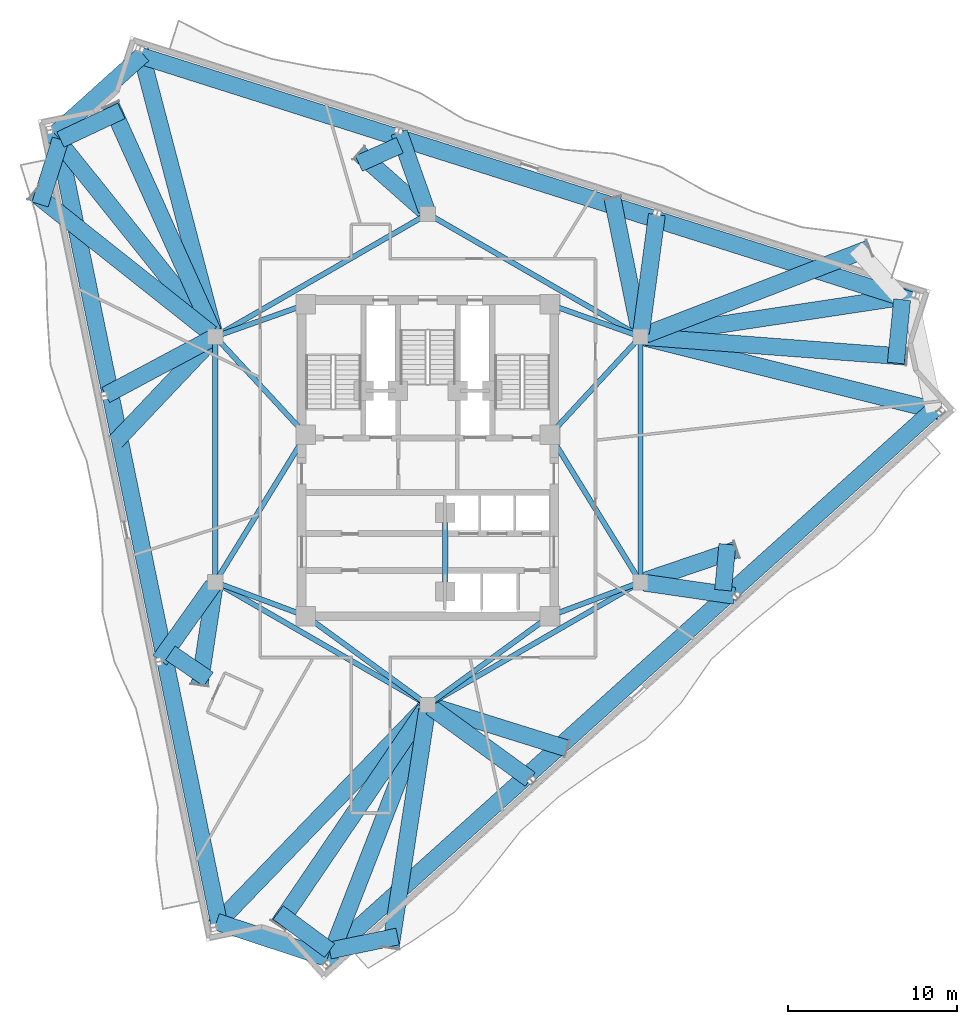
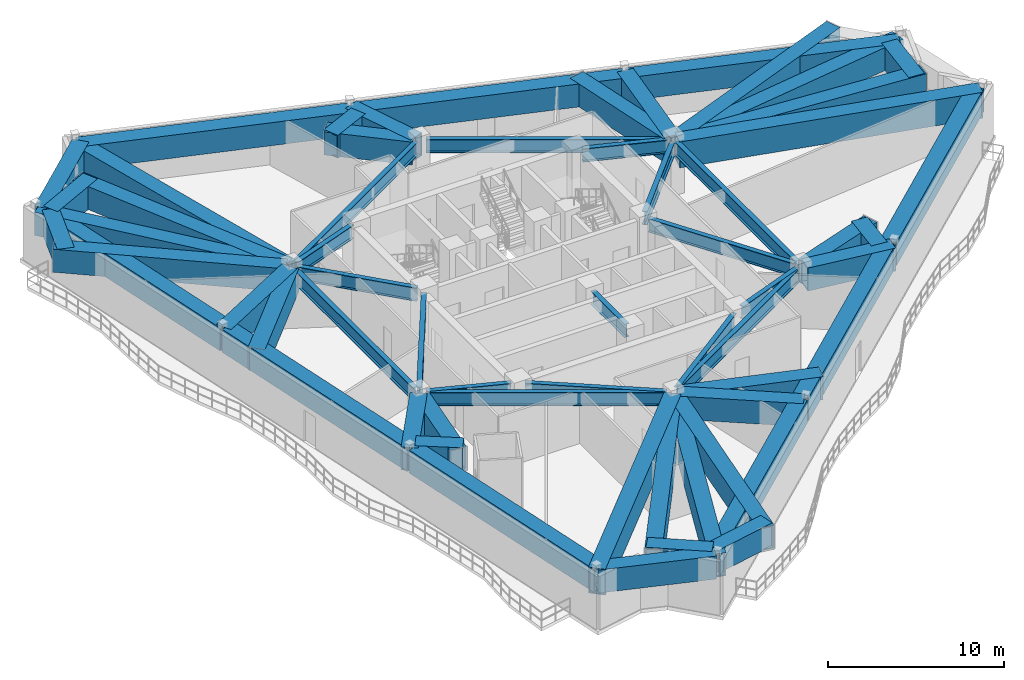
# One storey, part 4 of 12: 60 beams.
"""IFC4 building model written with IfcOpenShell, lengths in metres."""

from ifc_helpers import new_model, si_unit, direction, frame, origin, origin_2d, place, context, subcontext, project, spatial, hollow_rectangle, i_section, extrude, material, material_profile, profile_set, type_object, element, save


model = new_model("IFC4")

# Units and contexts
model_context = context("Model", 3, precision=1e-05, world=origin(), true_north=direction((0.0, 1.0)))
body_context = subcontext(model_context, "Body", "Model", "MODEL_VIEW")
ifc_project = project(units=[si_unit("LENGTHUNIT", "METRE"), si_unit("AREAUNIT", "SQUARE_METRE"), si_unit("VOLUMEUNIT", "CUBIC_METRE"), si_unit("PLANEANGLEUNIT", "RADIAN"), si_unit("MASSUNIT", "GRAM", prefix="KILO")], contexts=[model_context])

# Site, building, storey
site_placement = place(None, origin())
site = spatial("IfcSite", under=ifc_project, at=site_placement, CompositionType="ELEMENT")
building_placement = place(site_placement, origin())
building = spatial("IfcBuilding", under=site, at=building_placement, Name="Apsidion Concourse Tower", CompositionType="ELEMENT")
storey_placement = place(building_placement, frame((0.0, 0.0, 256.800048828125)))
storey = spatial("IfcBuildingStorey", under=building, at=storey_placement, Name="L60", CompositionType="ELEMENT", Elevation=256.800048828125)

# Beams
ifc_material_1 = material(Name="Structural steel ASTM A992 Grade 50", Category="steel")
ifc_material_profile_1 = material_profile(ifc_material_1, i_section(OverallWidth=0.31005859375, OverallDepth=0.931884765625, WebThickness=0.02099609375, FlangeThickness=0.034423828125, at=origin_2d()), Name="W36X210")
ifc_profile_set_1 = profile_set([ifc_material_profile_1], Name="Structural steel ASTM A992 Grade 50")
beam_type_1 = type_object("IfcBeamType", Name="BM-G-W36", PredefinedType="USERDEFINED", material=ifc_profile_set_1)
beam_1_placement = place(storey_placement, frame((-12.185302734375, -7.389892578125, 3.23388671875), z_axis=(0.936913021145, -0.349562570664, 0.0), x_axis=(0.349562570664, 0.936913021145, 0.0)))
element("IfcBeam", 1, at=beam_1_placement, inside=storey, type_object=beam_type_1, Name="L60 Core Coupling Girder IC1-SC1", ObjectType="GIRDER", PredefinedType="USERDEFINED", context=body_context, shape_type="SweptSolid", body=[
    extrude(i_section(OverallWidth=0.31005859375, OverallDepth=0.931884765625, WebThickness=0.02099609375, FlangeThickness=0.034423828125, at=origin_2d()), origin(), (0.0, 0.0, 1.0), 4.921142578125),
])
beam_2_placement = place(storey_placement, frame((-12.35009765625, -6.909423828125, 3.23388671875), z_axis=(0.524524009763, 0.851395656074, 0.0), x_axis=(-0.851395656074, 0.524524009763, 0.0)))
element("IfcBeam", 2, at=beam_2_placement, inside=storey, type_object=beam_type_1, Name="L60 Core Coupling Girder IC1-SC6", ObjectType="GIRDER", PredefinedType="USERDEFINED", context=body_context, shape_type="SweptSolid", body=[
    extrude(i_section(OverallWidth=0.31005859375, OverallDepth=0.931884765625, WebThickness=0.02099609375, FlangeThickness=0.034423828125, at=origin_2d()), origin(), (0.0, 0.0, 1.0), 9.41845703125),
])
beam_3_placement = place(storey_placement, frame((12.185302734375, -7.389892578125, 3.23388671875), z_axis=(-0.936913021145, -0.349562570664, 0.0), x_axis=(0.349562570664, -0.936913021145, 0.0)))
element("IfcBeam", 3, at=beam_3_placement, inside=storey, type_object=beam_type_1, Name="L60 Core Coupling Girder IC2-SC2", ObjectType="GIRDER", PredefinedType="USERDEFINED", context=body_context, shape_type="SweptSolid", body=[
    extrude(i_section(OverallWidth=0.31005859375, OverallDepth=0.931884765625, WebThickness=0.02099609375, FlangeThickness=0.034423828125, at=origin_2d()), origin(), (0.0, 0.0, 1.0), 4.921142578125),
])
beam_4_placement = place(storey_placement, frame((12.35009765625, -6.909423828125, 3.23388671875), z_axis=(-0.524524009763, 0.851395656074, 0.0), x_axis=(-0.851395656074, -0.524524009763, 0.0)))
element("IfcBeam", 4, at=beam_4_placement, inside=storey, type_object=beam_type_1, Name="L60 Core Coupling Girder IC2-SC3", ObjectType="GIRDER", PredefinedType="USERDEFINED", context=body_context, shape_type="SweptSolid", body=[
    extrude(i_section(OverallWidth=0.31005859375, OverallDepth=0.931884765625, WebThickness=0.02099609375, FlangeThickness=0.034423828125, at=origin_2d()), origin(), (0.0, 0.0, 1.0), 9.41845703125),
])
beam_5_placement = place(storey_placement, frame((12.28857421875, 6.956298828125, 3.23388671875), z_axis=(-0.678712876106, -0.73440372535, 0.0), x_axis=(0.73440372535, -0.678712876106, 0.0)))
element("IfcBeam", 5, at=beam_5_placement, inside=storey, type_object=beam_type_1, Name="L60 Core Coupling Girder IC3-SC3", ObjectType="GIRDER", PredefinedType="USERDEFINED", context=body_context, shape_type="SweptSolid", body=[
    extrude(i_section(OverallWidth=0.31005859375, OverallDepth=0.931884765625, WebThickness=0.02099609375, FlangeThickness=0.034423828125, at=origin_2d()), origin(), (0.0, 0.0, 1.0), 7.097412109375),
])
beam_6_placement = place(storey_placement, frame((12.18310546875, 7.383544921875, 3.23388671875), z_axis=(-0.942533844539, 0.334110688094, 0.0), x_axis=(-0.334110688094, -0.942533844539, 0.0)))
element("IfcBeam", 6, at=beam_6_placement, inside=storey, type_object=beam_type_1, Name="L60 Core Coupling Girder IC3-SC4", ObjectType="GIRDER", PredefinedType="USERDEFINED", context=body_context, shape_type="SweptSolid", body=[
    extrude(i_section(OverallWidth=0.31005859375, OverallDepth=0.931884765625, WebThickness=0.02099609375, FlangeThickness=0.034423828125, at=origin_2d()), origin(), (0.0, 0.0, 1.0), 4.886962890625),
])
beam_7_placement = place(storey_placement, frame((-12.28857421875, 6.956298828125, 3.23388671875), z_axis=(0.678712876106, -0.73440372535, 0.0), x_axis=(0.73440372535, 0.678712876106, 0.0)))
element("IfcBeam", 7, at=beam_7_placement, inside=storey, type_object=beam_type_1, Name="L60 Core Coupling Girder IC5-SC6", ObjectType="GIRDER", PredefinedType="USERDEFINED", context=body_context, shape_type="SweptSolid", body=[
    extrude(i_section(OverallWidth=0.31005859375, OverallDepth=0.931884765625, WebThickness=0.02099609375, FlangeThickness=0.034423828125, at=origin_2d()), origin(), (0.0, 0.0, 1.0), 7.097412109375),
])
beam_8_placement = place(storey_placement, frame((-12.18310546875, 7.383544921875, 3.23388671875), z_axis=(0.942533844539, 0.334110688094, 0.0), x_axis=(-0.334110688094, 0.942533844539, 0.0)))
element("IfcBeam", 8, at=beam_8_placement, inside=storey, type_object=beam_type_1, Name="L60 Core Coupling Girder IC5-SC5", ObjectType="GIRDER", PredefinedType="USERDEFINED", context=body_context, shape_type="SweptSolid", body=[
    extrude(i_section(OverallWidth=0.31005859375, OverallDepth=0.931884765625, WebThickness=0.02099609375, FlangeThickness=0.034423828125, at=origin_2d()), origin(), (0.0, 0.0, 1.0), 4.886962890625),
])
for number, where, z_axis, x_axis, name in (
    (9, (-0.3232421875, -14.264404296875, 3.23388671875), (-0.807993498909, 0.589191399905, 0.0), (-0.589191399905, -0.807993498909, 0.0), "L60 Core Coupling Girder IC6-SC1"),
    (10, (0.3232421875, -14.264404296875, 3.23388671875), (0.807993498909, 0.589191399905, 0.0), (-0.589191399905, 0.807993498909, 0.0), "L60 Core Coupling Girder IC6-SC2"),
):
    element("IfcBeam", number, at=place(storey_placement, frame(where, z_axis=z_axis, x_axis=x_axis)), inside=storey, type_object=beam_type_1, Name=name, ObjectType="GIRDER", PredefinedType="USERDEFINED", context=body_context, shape_type="SweptSolid", body=[
        extrude(i_section(OverallWidth=0.31005859375, OverallDepth=0.931884765625, WebThickness=0.02099609375, FlangeThickness=0.034423828125, at=origin_2d()), origin(), (0.0, 0.0, 1.0), 8.11083984375),
    ])
beam_9_placement = place(storey_placement, frame((-12.56005859375, -6.85009765625, 3.23388671875), z_axis=(0.0, 1.0, 0.0), x_axis=(-1.0, 0.0, 0.0)))
element("IfcBeam", 11, at=beam_9_placement, inside=storey, type_object=beam_type_1, Name="L60 Core Coupling Girder IC1-IC5", ObjectType="GIRDER", PredefinedType="USERDEFINED", context=body_context, shape_type="SweptSolid", body=[
    extrude(i_section(OverallWidth=0.31005859375, OverallDepth=0.931884765625, WebThickness=0.02099609375, FlangeThickness=0.034423828125, at=origin_2d()), origin(), (0.0, 0.0, 1.0), 13.7001953125),
])
for number, where, z_axis, x_axis, name in (
    (12, (-12.213623046875, 7.449951171875, 3.23388671875), (0.866070471464, 0.499921932364, 0.0), (-0.499921932364, 0.866070471464, 0.0), "L60 Core Coupling Girder IC5-IC4"),
    (13, (0.346435546875, 14.300048828125, 3.23388671875), (0.866070471464, -0.499921932364, 0.0), (0.499921932364, 0.866070471464, 0.0), "L60 Core Coupling Girder IC4-IC3"),
):
    element("IfcBeam", number, at=place(storey_placement, frame(where, z_axis=z_axis, x_axis=x_axis)), inside=storey, type_object=beam_type_1, Name=name, ObjectType="GIRDER", PredefinedType="USERDEFINED", context=body_context, shape_type="SweptSolid", body=[
        extrude(i_section(OverallWidth=0.31005859375, OverallDepth=0.931884765625, WebThickness=0.02099609375, FlangeThickness=0.034423828125, at=origin_2d()), origin(), (0.0, 0.0, 1.0), 13.702392578125),
    ])
beam_10_placement = place(storey_placement, frame((12.56005859375, 6.85009765625, 3.23388671875), z_axis=(0.0, -1.0, 0.0), x_axis=(1.0, 0.0, 0.0)))
element("IfcBeam", 14, at=beam_10_placement, inside=storey, type_object=beam_type_1, Name="L60 Core Coupling Girder IC3-IC2", ObjectType="GIRDER", PredefinedType="USERDEFINED", context=body_context, shape_type="SweptSolid", body=[
    extrude(i_section(OverallWidth=0.31005859375, OverallDepth=0.931884765625, WebThickness=0.02099609375, FlangeThickness=0.034423828125, at=origin_2d()), origin(), (0.0, 0.0, 1.0), 13.7001953125),
])
for number, where, z_axis, x_axis, name in (
    (15, (12.213623046875, -7.449951171875, 3.23388671875), (-0.866070471464, -0.499921932364, 0.0), (0.499921932364, -0.866070471464, 0.0), "L60 Core Coupling Girder IC2-IC6"),
    (16, (-0.346435546875, -14.300048828125, 3.23388671875), (-0.866070471464, 0.499921932364, 0.0), (-0.499921932364, -0.866070471464, 0.0), "L60 Core Coupling Girder IC6-IC1"),
):
    element("IfcBeam", number, at=place(storey_placement, frame(where, z_axis=z_axis, x_axis=x_axis)), inside=storey, type_object=beam_type_1, Name=name, ObjectType="GIRDER", PredefinedType="USERDEFINED", context=body_context, shape_type="SweptSolid", body=[
        extrude(i_section(OverallWidth=0.31005859375, OverallDepth=0.931884765625, WebThickness=0.02099609375, FlangeThickness=0.034423828125, at=origin_2d()), origin(), (0.0, 0.0, 1.0), 13.702392578125),
    ])
beam_11_placement = place(storey_placement, frame((1.02490234375, -3.550048828125, 3.23388671875), z_axis=(0.0, -1.0, 0.0), x_axis=(1.0, 0.0, 0.0)))
element("IfcBeam", 17, at=beam_11_placement, inside=storey, type_object=beam_type_1, Name="L60 Core Coupling Girder CC5-CC6", ObjectType="GIRDER", PredefinedType="USERDEFINED", context=body_context, shape_type="SweptSolid", body=[
    extrude(i_section(OverallWidth=0.31005859375, OverallDepth=0.931884765625, WebThickness=0.02099609375, FlangeThickness=0.034423828125, at=origin_2d()), origin(), (0.0, 0.0, 1.0), 3.849853515625),
])
ifc_material_2 = material(Name="Structural steel ASTM A572 Grade 50", Category="steel")
ifc_material_profile_2 = material_profile(ifc_material_2, hollow_rectangle(XDim=1.0, YDim=1.60009765625, WallThickness=0.074951171875, at=origin_2d()), Name="BOX1600X1000X75")
ifc_profile_set_2 = profile_set([ifc_material_profile_2], Name="Structural steel ASTM A572 Grade 50")
beam_type_2 = type_object("IfcBeamType", Name="BM-TR-1600", PredefinedType="USERDEFINED", material=ifc_profile_set_2)
beam_12_placement = place(storey_placement, frame((-21.948974609375, 19.44482421875, 2.89990234375), z_axis=(0.201230806268, -0.979543854357, 0.0), x_axis=(0.979543854357, 0.201230806268, 0.0)))
element("IfcBeam", 18, at=beam_12_placement, inside=storey, type_object=beam_type_2, Name="L60 Perimeter Spandrel Girder SP-01", ObjectType="GIRDER", PredefinedType="USERDEFINED", context=body_context, shape_type="SweptSolid", body=[
    extrude(hollow_rectangle(XDim=1.0, YDim=1.60009765625, WallThickness=0.074951171875, at=origin_2d()), origin(), (0.0, 0.0, 1.0), 15.863037109375),
])
for number, where, z_axis, x_axis, name in (
    (19, (-18.724609375, 3.74951171875, 2.89990234375), (0.201219072449, -0.9795462648, 0.0), (0.9795462648, 0.201219072449, 0.0), "L60 Perimeter Spandrel Girder SP-02"),
    (20, (-15.50048828125, -11.94580078125, 2.89990234375), (0.201233840002, -0.979543231123, 0.0), (0.979543231123, 0.201233840002, 0.0), "L60 Perimeter Spandrel Girder SP-03"),
):
    element("IfcBeam", number, at=place(storey_placement, frame(where, z_axis=z_axis, x_axis=x_axis)), inside=storey, type_object=beam_type_2, Name=name, ObjectType="GIRDER", PredefinedType="USERDEFINED", context=body_context, shape_type="SweptSolid", body=[
        extrude(hollow_rectangle(XDim=1.0, YDim=1.60009765625, WallThickness=0.074951171875, at=origin_2d()), origin(), (0.0, 0.0, 1.0), 15.86279296875),
    ])
beam_13_placement = place(storey_placement, frame((-12.4697265625, -27.302978515625, 2.89990234375), z_axis=(0.950003820966, -0.312238274639, 0.0), x_axis=(0.312238274639, 0.950003820966, 0.0)))
element("IfcBeam", 21, at=beam_13_placement, inside=storey, type_object=beam_type_2, Name="L60 Perimeter Spandrel Girder SP-04", ObjectType="GIRDER", PredefinedType="USERDEFINED", context=body_context, shape_type="SweptSolid", body=[
    extrude(hollow_rectangle(XDim=1.0, YDim=1.60009765625, WallThickness=0.074951171875, at=origin_2d()), origin(), (0.0, 0.0, 1.0), 6.889404296875),
])
for number, where, z_axis, x_axis, name in (
    (22, (-6.162353515625, -29.50439453125, 2.89990234375), (0.743142645053, 0.669133027958, 0.0), (-0.669133027958, 0.743142645053, 0.0), "L60 Perimeter Spandrel Girder SP-05"),
    (23, (5.927001953125, -18.618896484375, 2.89990234375), (0.743142645053, 0.669133027958, 0.0), (-0.669133027958, 0.743142645053, 0.0), "L60 Perimeter Spandrel Girder SP-06"),
    (24, (18.016357421875, -7.733642578125, 2.89990234375), (0.743142645053, 0.669133027958, 0.0), (-0.669133027958, 0.743142645053, 0.0), "L60 Perimeter Spandrel Girder SP-07"),
):
    element("IfcBeam", number, at=place(storey_placement, frame(where, z_axis=z_axis, x_axis=x_axis)), inside=storey, type_object=beam_type_2, Name=name, ObjectType="GIRDER", PredefinedType="USERDEFINED", context=body_context, shape_type="SweptSolid", body=[
        extrude(hollow_rectangle(XDim=1.0, YDim=1.60009765625, WallThickness=0.074951171875, at=origin_2d()), origin(), (0.0, 0.0, 1.0), 16.10791015625),
    ])
for number, where, z_axis, x_axis, name in (
    (25, (28.6201171875, 9.367919921875, 2.89990234375), (-0.953143428698, 0.302518766906, 0.0), (-0.302518766906, -0.953143428698, 0.0), "L60 Perimeter Spandrel Girder SP-09"),
    (26, (13.347900390625, 14.215087890625, 2.89990234375), (-0.953143428698, 0.302518766906, 0.0), (-0.302518766906, -0.953143428698, 0.0), "L60 Perimeter Spandrel Girder SP-10"),
    (27, (-1.92431640625, 19.0625, 2.89990234375), (-0.953147866416, 0.302504784667, 0.0), (-0.302504784667, -0.953147866416, 0.0), "L60 Perimeter Spandrel Girder SP-11"),
):
    element("IfcBeam", number, at=place(storey_placement, frame(where, z_axis=z_axis, x_axis=x_axis)), inside=storey, type_object=beam_type_2, Name=name, ObjectType="GIRDER", PredefinedType="USERDEFINED", context=body_context, shape_type="SweptSolid", body=[
        extrude(hollow_rectangle(XDim=1.0, YDim=1.60009765625, WallThickness=0.074951171875, at=origin_2d()), origin(), (0.0, 0.0, 1.0), 15.86279296875),
    ])
beam_14_placement = place(storey_placement, frame((-16.810546875, 23.91162109375, 2.89990234375), z_axis=(-0.743134911338, -0.669141616962, 0.0), x_axis=(0.669141616962, -0.743134911338, 0.0)))
element("IfcBeam", 28, at=beam_14_placement, inside=storey, type_object=beam_type_2, Name="L60 Perimeter Spandrel Girder SP-12", ObjectType="GIRDER", PredefinedType="USERDEFINED", context=body_context, shape_type="SweptSolid", body=[
    extrude(hollow_rectangle(XDim=1.0, YDim=1.60009765625, WallThickness=0.074951171875, at=origin_2d()), origin(), (0.0, 0.0, 1.0), 7.0146484375),
])
beam_15_placement = place(storey_placement, frame((-12.697509765625, 7.421630859375, 2.89990234375), z_axis=(-0.625472520241, 0.780246196033, 0.0), x_axis=(-0.780246196033, -0.625472520241, 0.0)))
element("IfcBeam", 29, at=beam_15_placement, inside=storey, type_object=beam_type_2, Name="L60 Radial Floor Girder RAD-01", ObjectType="GIRDER", PredefinedType="USERDEFINED", context=body_context, shape_type="SweptSolid", body=[
    extrude(hollow_rectangle(XDim=1.0, YDim=1.60009765625, WallThickness=0.074951171875, at=origin_2d()), origin(), (0.0, 0.0, 1.0), 15.311767578125),
])
beam_16_placement = place(storey_placement, frame((-12.754150390625, 7.146484375, 2.89990234375), z_axis=(-0.88214083385, -0.470985720861, 0.0), x_axis=(0.470985720861, -0.88214083385, 0.0)))
element("IfcBeam", 30, at=beam_16_placement, inside=storey, type_object=beam_type_2, Name="L60 Radial Floor Girder RAD-02", ObjectType="GIRDER", PredefinedType="USERDEFINED", context=body_context, shape_type="SweptSolid", body=[
    extrude(hollow_rectangle(XDim=1.0, YDim=1.60009765625, WallThickness=0.074951171875, at=origin_2d()), origin(), (0.0, 0.0, 1.0), 7.1083984375),
])
beam_17_placement = place(storey_placement, frame((-12.687255859375, -7.429443359375, 2.89990234375), z_axis=(-0.578459758238, -0.815710921895, 0.0), x_axis=(0.815710921895, -0.578459758238, 0.0)))
element("IfcBeam", 31, at=beam_17_placement, inside=storey, type_object=beam_type_2, Name="L60 Radial Floor Girder RAD-03", ObjectType="GIRDER", PredefinedType="USERDEFINED", context=body_context, shape_type="SweptSolid", body=[
    extrude(hollow_rectangle(XDim=1.0, YDim=1.60009765625, WallThickness=0.074951171875, at=origin_2d()), origin(), (0.0, 0.0, 1.0), 5.434326171875),
])
beam_18_placement = place(storey_placement, frame((-0.079833984375, -14.705078125, 2.89990234375), z_axis=(-0.36254845311, -0.931964923775, 0.0), x_axis=(0.931964923775, -0.36254845311, 0.0)))
element("IfcBeam", 32, at=beam_18_placement, inside=storey, type_object=beam_type_2, Name="L60 Radial Floor Girder RAD-05", ObjectType="GIRDER", PredefinedType="USERDEFINED", context=body_context, shape_type="SweptSolid", body=[
    extrude(hollow_rectangle(XDim=1.0, YDim=1.60009765625, WallThickness=0.074951171875, at=origin_2d()), origin(), (0.0, 0.0, 1.0), 16.14013671875),
])
beam_19_placement = place(storey_placement, frame((0.177978515625, -14.62939453125, 2.89990234375), z_axis=(0.808567158699, -0.588403900288, 0.0), x_axis=(0.588403900288, 0.808567158699, 0.0)))
element("IfcBeam", 33, at=beam_19_placement, inside=storey, type_object=beam_type_2, Name="L60 Radial Floor Girder RAD-06", ObjectType="GIRDER", PredefinedType="USERDEFINED", context=body_context, shape_type="SweptSolid", body=[
    extrude(hollow_rectangle(XDim=1.0, YDim=1.60009765625, WallThickness=0.074951171875, at=origin_2d()), origin(), (0.0, 0.0, 1.0), 7.251220703125),
])
beam_20_placement = place(storey_placement, frame((12.777587890625, -7.281494140625, 2.89990234375), z_axis=(0.98964652534, -0.143526147032, 0.0), x_axis=(0.143526147032, 0.98964652534, 0.0)))
element("IfcBeam", 34, at=beam_20_placement, inside=storey, type_object=beam_type_2, Name="L60 Radial Floor Girder RAD-07", ObjectType="GIRDER", PredefinedType="USERDEFINED", context=body_context, shape_type="SweptSolid", body=[
    extrude(hollow_rectangle(XDim=1.0, YDim=1.60009765625, WallThickness=0.074951171875, at=origin_2d()), origin(), (0.0, 0.0, 1.0), 5.390625),
])
beam_21_placement = place(storey_placement, frame((12.777587890625, 7.282958984375, 2.89990234375), z_axis=(0.988774311252, 0.149416737377, 0.0), x_axis=(-0.149416737377, 0.988774311252, 0.0)))
element("IfcBeam", 35, at=beam_21_placement, inside=storey, type_object=beam_type_2, Name="L60 Radial Floor Girder RAD-09", ObjectType="GIRDER", PredefinedType="USERDEFINED", context=body_context, shape_type="SweptSolid", body=[
    extrude(hollow_rectangle(XDim=1.0, YDim=1.60009765625, WallThickness=0.074951171875, at=origin_2d()), origin(), (0.0, 0.0, 1.0), 16.11572265625),
])
beam_22_placement = place(storey_placement, frame((12.589111328125, 7.468017578125, 2.89990234375), z_axis=(0.13290103696, 0.99112931264, 0.0), x_axis=(-0.99112931264, 0.13290103696, 0.0)))
element("IfcBeam", 36, at=beam_22_placement, inside=storey, type_object=beam_type_2, Name="L60 Radial Floor Girder RAD-10", ObjectType="GIRDER", PredefinedType="USERDEFINED", context=body_context, shape_type="SweptSolid", body=[
    extrude(hollow_rectangle(XDim=1.0, YDim=1.60009765625, WallThickness=0.074951171875, at=origin_2d()), origin(), (0.0, 0.0, 1.0), 7.048583984375),
])
beam_23_placement = place(storey_placement, frame((-0.073486328125, 14.70751953125, 2.89990234375), z_axis=(-0.333398660175, 0.94278594251, 0.0), x_axis=(-0.94278594251, -0.333398660175, 0.0)))
element("IfcBeam", 37, at=beam_23_placement, inside=storey, type_object=beam_type_2, Name="L60 Radial Floor Girder RAD-11", ObjectType="GIRDER", PredefinedType="USERDEFINED", context=body_context, shape_type="SweptSolid", body=[
    extrude(hollow_rectangle(XDim=1.0, YDim=1.60009765625, WallThickness=0.074951171875, at=origin_2d()), origin(), (0.0, 0.0, 1.0), 4.877685546875),
])
beam_24_placement = place(storey_placement, frame((-12.61572265625, 7.462890625, 2.89990234375), z_axis=(-0.253011847296, 0.967463180244, 0.0), x_axis=(-0.967463180244, -0.253011847296, 0.0)))
element("IfcBeam", 38, at=beam_24_placement, inside=storey, type_object=beam_type_2, Name="L60 Radial Floor Girder RAD-12", ObjectType="GIRDER", PredefinedType="USERDEFINED", context=body_context, shape_type="SweptSolid", body=[
    extrude(hollow_rectangle(XDim=1.0, YDim=1.60009765625, WallThickness=0.074951171875, at=origin_2d()), origin(), (0.0, 0.0, 1.0), 17.249267578125),
])
beam_25_placement = place(storey_placement, frame((-12.795166015625, 7.436279296875, 2.89990234375), z_axis=(-0.783583450115, 0.621286549593, 0.0), x_axis=(-0.621286549593, -0.783583450115, 0.0)))
element("IfcBeam", 39, at=beam_25_placement, inside=storey, type_object=beam_type_2, Name="L60 Block-Step Radial Transfer Girder NTR-01", ObjectType="GIRDER", PredefinedType="USERDEFINED", context=body_context, shape_type="SweptSolid", body=[
    extrude(hollow_rectangle(XDim=1.0, YDim=1.60009765625, WallThickness=0.074951171875, at=origin_2d()), origin(), (0.0, 0.0, 1.0), 13.379150390625),
])
beam_26_placement = place(storey_placement, frame((-21.696044921875, 18.888671875, 2.89990234375), z_axis=(-0.300337081859, -0.953833128624, 0.0), x_axis=(0.953833128624, -0.300337081859, 0.0)))
element("IfcBeam", 40, at=beam_26_placement, inside=storey, type_object=beam_type_2, Name="L60 Block-Step Perimeter Transfer Bridge NBR-01", ObjectType="GIRDER", PredefinedType="USERDEFINED", context=body_context, shape_type="SweptSolid", body=[
    extrude(hollow_rectangle(XDim=1.0, YDim=1.60009765625, WallThickness=0.074951171875, at=origin_2d()), origin(), (0.0, 0.0, 1.0), 4.0166015625),
])
beam_27_placement = place(storey_placement, frame((-12.766357421875, 7.0322265625, 2.89990234375), z_axis=(-0.688063974783, -0.725650030391, 0.0), x_axis=(0.725650030391, -0.688063974783, 0.0)))
element("IfcBeam", 41, at=beam_27_placement, inside=storey, type_object=beam_type_2, Name="L60 Block-Step Radial Transfer Girder NTR-02", ObjectType="GIRDER", PredefinedType="USERDEFINED", context=body_context, shape_type="SweptSolid", body=[
    extrude(hollow_rectangle(XDim=1.0, YDim=1.60009765625, WallThickness=0.074951171875, at=origin_2d()), origin(), (0.0, 0.0, 1.0), 8.268798828125),
])
beam_28_placement = place(storey_placement, frame((-12.60498046875, -7.546630859375, 2.89990234375), z_axis=(-0.149930785286, -0.988696495201, 0.0), x_axis=(0.988696495201, -0.149930785286, 0.0)))
element("IfcBeam", 42, at=beam_28_placement, inside=storey, type_object=beam_type_2, Name="L60 Block-Step Radial Transfer Girder NTR-03", ObjectType="GIRDER", PredefinedType="USERDEFINED", context=body_context, shape_type="SweptSolid", body=[
    extrude(hollow_rectangle(XDim=1.0, YDim=1.60009765625, WallThickness=0.074951171875, at=origin_2d()), origin(), (0.0, 0.0, 1.0), 5.82470703125),
])
beam_29_placement = place(storey_placement, frame((-15.209228515625, -11.43310546875, 2.89990234375), z_axis=(0.823463101331, -0.567369827137, 0.0), x_axis=(0.567369827137, 0.823463101331, 0.0)))
element("IfcBeam", 43, at=beam_29_placement, inside=storey, type_object=beam_type_2, Name="L60 Block-Step Perimeter Transfer Bridge NBR-03", ObjectType="GIRDER", PredefinedType="USERDEFINED", context=body_context, shape_type="SweptSolid", body=[
    extrude(hollow_rectangle(XDim=1.0, YDim=1.60009765625, WallThickness=0.074951171875, at=origin_2d()), origin(), (0.0, 0.0, 1.0), 2.734130859375),
])
beam_30_placement = place(storey_placement, frame((-0.168701171875, -14.748046875, 2.89990234375), z_axis=(-0.56219346217, -0.827005750339, 0.0), x_axis=(0.827005750339, -0.56219346217, 0.0)))
element("IfcBeam", 44, at=beam_30_placement, inside=storey, type_object=beam_type_2, Name="L60 Block-Step Radial Transfer Girder NTR-04", ObjectType="GIRDER", PredefinedType="USERDEFINED", context=body_context, shape_type="SweptSolid", body=[
    extrude(hollow_rectangle(XDim=1.0, YDim=1.60009765625, WallThickness=0.074951171875, at=origin_2d()), origin(), (0.0, 0.0, 1.0), 15.412109375),
])
beam_31_placement = place(storey_placement, frame((-5.80078125, -29.006591796875, 2.89990234375), z_axis=(-0.804117114774, 0.594470912431, 0.0), x_axis=(-0.594470912431, -0.804117114774, 0.0)))
element("IfcBeam", 45, at=beam_31_placement, inside=storey, type_object=beam_type_2, Name="L60 Block-Step Perimeter Transfer Bridge NBR-04", ObjectType="GIRDER", PredefinedType="USERDEFINED", context=body_context, shape_type="SweptSolid", body=[
    extrude(hollow_rectangle(XDim=1.0, YDim=1.60009765625, WallThickness=0.074951171875, at=origin_2d()), origin(), (0.0, 0.0, 1.0), 3.782470703125),
])
beam_32_placement = place(storey_placement, frame((-0.04541015625, -14.79638671875, 2.89990234375), z_axis=(-0.151681329235, -0.988429448348, 0.0), x_axis=(0.988429448348, -0.151681329235, 0.0)))
element("IfcBeam", 46, at=beam_32_placement, inside=storey, type_object=beam_type_2, Name="L60 Block-Step Radial Transfer Girder NTR-05", ObjectType="GIRDER", PredefinedType="USERDEFINED", context=body_context, shape_type="SweptSolid", body=[
    extrude(hollow_rectangle(XDim=1.0, YDim=1.60009765625, WallThickness=0.074951171875, at=origin_2d()), origin(), (0.0, 0.0, 1.0), 14.204345703125),
])
beam_33_placement = place(storey_placement, frame((-5.80078125, -29.006591796875, 2.89990234375), z_axis=(0.97897398166, 0.203985154444, 0.0), x_axis=(-0.203985154444, 0.97897398166, 0.0)))
element("IfcBeam", 47, at=beam_33_placement, inside=storey, type_object=beam_type_2, Name="L60 Block-Step Perimeter Transfer Bridge NBR-05", ObjectType="GIRDER", PredefinedType="USERDEFINED", context=body_context, shape_type="SweptSolid", body=[
    extrude(hollow_rectangle(XDim=1.0, YDim=1.60009765625, WallThickness=0.074951171875, at=origin_2d()), origin(), (0.0, 0.0, 1.0), 4.1015625),
])
beam_34_placement = place(storey_placement, frame((0.286376953125, -14.589599609375, 2.89990234375), z_axis=(0.95437995422, -0.298594881038, 0.0), x_axis=(0.298594881038, 0.95437995422, 0.0)))
element("IfcBeam", 48, at=beam_34_placement, inside=storey, type_object=beam_type_2, Name="L60 Block-Step Radial Transfer Girder NTR-06", ObjectType="GIRDER", PredefinedType="USERDEFINED", context=body_context, shape_type="SweptSolid", body=[
    extrude(hollow_rectangle(XDim=1.0, YDim=1.60009765625, WallThickness=0.074951171875, at=origin_2d()), origin(), (0.0, 0.0, 1.0), 8.2998046875),
])
beam_35_placement = place(storey_placement, frame((12.843994140625, -7.1533203125, 2.89990234375), z_axis=(0.946767770466, 0.321917363319, 0.0), x_axis=(-0.321917363319, 0.946767770466, 0.0)))
element("IfcBeam", 49, at=beam_35_placement, inside=storey, type_object=beam_type_2, Name="L60 Block-Step Radial Transfer Girder NTR-07", ObjectType="GIRDER", PredefinedType="USERDEFINED", context=body_context, shape_type="SweptSolid", body=[
    extrude(hollow_rectangle(XDim=1.0, YDim=1.60009765625, WallThickness=0.074951171875, at=origin_2d()), origin(), (0.0, 0.0, 1.0), 5.68408203125),
])
beam_36_placement = place(storey_placement, frame((17.43408203125, -7.72509765625, 2.89990234375), z_axis=(0.093098983766, 0.99565685817, 0.0), x_axis=(-0.99565685817, 0.093098983766, 0.0)))
element("IfcBeam", 50, at=beam_36_placement, inside=storey, type_object=beam_type_2, Name="L60 Block-Step Perimeter Transfer Bridge NBR-07", ObjectType="GIRDER", PredefinedType="USERDEFINED", context=body_context, shape_type="SweptSolid", body=[
    extrude(hollow_rectangle(XDim=1.0, YDim=1.60009765625, WallThickness=0.074951171875, at=origin_2d()), origin(), (0.0, 0.0, 1.0), 2.721923828125),
])
beam_37_placement = place(storey_placement, frame((12.859130859375, 7.227294921875, 2.89990234375), z_axis=(0.997164075732, -0.075258262467, 0.0), x_axis=(0.075258262467, 0.997164075732, 0.0)))
element("IfcBeam", 51, at=beam_37_placement, inside=storey, type_object=beam_type_2, Name="L60 Block-Step Radial Transfer Girder NTR-08", ObjectType="GIRDER", PredefinedType="USERDEFINED", context=body_context, shape_type="SweptSolid", body=[
    extrude(hollow_rectangle(XDim=1.0, YDim=1.60009765625, WallThickness=0.074951171875, at=origin_2d()), origin(), (0.0, 0.0, 1.0), 15.447998046875),
])
beam_38_placement = place(storey_placement, frame((28.005859375, 9.4345703125, 2.89990234375), z_axis=(-0.098347499013, -0.995152133816, 0.0), x_axis=(0.995152133816, -0.098347499013, 0.0)))
element("IfcBeam", 52, at=beam_38_placement, inside=storey, type_object=beam_type_2, Name="L60 Block-Step Perimeter Transfer Bridge NBR-08", ObjectType="GIRDER", PredefinedType="USERDEFINED", context=body_context, shape_type="SweptSolid", body=[
    extrude(hollow_rectangle(XDim=1.0, YDim=1.60009765625, WallThickness=0.074951171875, at=origin_2d()), origin(), (0.0, 0.0, 1.0), 3.763427734375),
])
beam_39_placement = place(storey_placement, frame((12.83984375, 7.358154296875, 2.89990234375), z_axis=(0.932868514289, 0.36021706657, 0.0), x_axis=(-0.36021706657, 0.932868514289, 0.0)))
element("IfcBeam", 53, at=beam_39_placement, inside=storey, type_object=beam_type_2, Name="L60 Block-Step Radial Transfer Girder NTR-09", ObjectType="GIRDER", PredefinedType="USERDEFINED", context=body_context, shape_type="SweptSolid", body=[
    extrude(hollow_rectangle(XDim=1.0, YDim=1.60009765625, WallThickness=0.074951171875, at=origin_2d()), origin(), (0.0, 0.0, 1.0), 14.176025390625),
])
beam_40_placement = place(storey_placement, frame((12.500244140625, 7.5439453125, 2.89990234375), z_axis=(-0.199179477196, 0.979963027805, 0.0), x_axis=(-0.979963027805, -0.199179477196, 0.0)))
element("IfcBeam", 54, at=beam_40_placement, inside=storey, type_object=beam_type_2, Name="L60 Block-Step Radial Transfer Girder NTR-10", ObjectType="GIRDER", PredefinedType="USERDEFINED", context=body_context, shape_type="SweptSolid", body=[
    extrude(hollow_rectangle(XDim=1.0, YDim=1.60009765625, WallThickness=0.074951171875, at=origin_2d()), origin(), (0.0, 0.0, 1.0), 8.05908203125),
])
beam_41_placement = place(storey_placement, frame((-0.22509765625, 14.698486328125, 2.89990234375), z_axis=(-0.749996224256, 0.661442109033, 0.0), x_axis=(-0.661442109033, -0.749996224256, 0.0)))
element("IfcBeam", 55, at=beam_41_placement, inside=storey, type_object=beam_type_2, Name="L60 Block-Step Radial Transfer Girder NTR-11", ObjectType="GIRDER", PredefinedType="USERDEFINED", context=body_context, shape_type="SweptSolid", body=[
    extrude(hollow_rectangle(XDim=1.0, YDim=1.60009765625, WallThickness=0.074951171875, at=origin_2d()), origin(), (0.0, 0.0, 1.0), 5.1279296875),
])
beam_42_placement = place(storey_placement, frame((-1.657470703125, 18.5537109375, 2.89990234375), z_axis=(-0.912771243741, -0.408471120887, 0.0), x_axis=(0.408471120887, -0.912771243741, 0.0)))
element("IfcBeam", 56, at=beam_42_placement, inside=storey, type_object=beam_type_2, Name="L60 Block-Step Perimeter Transfer Bridge NBR-11", ObjectType="GIRDER", PredefinedType="USERDEFINED", context=body_context, shape_type="SweptSolid", body=[
    extrude(hollow_rectangle(XDim=1.0, YDim=1.60009765625, WallThickness=0.074951171875, at=origin_2d()), origin(), (0.0, 0.0, 1.0), 2.649658203125),
])
beam_43_placement = place(storey_placement, frame((-12.68310546875, 7.5234375, 2.89990234375), z_axis=(-0.410679969506, 0.911779558142, 0.0), x_axis=(-0.911779558142, -0.410679969506, 0.0)))
element("IfcBeam", 57, at=beam_43_placement, inside=storey, type_object=beam_type_2, Name="L60 Block-Step Radial Transfer Girder NTR-12", ObjectType="GIRDER", PredefinedType="USERDEFINED", context=body_context, shape_type="SweptSolid", body=[
    extrude(hollow_rectangle(XDim=1.0, YDim=1.60009765625, WallThickness=0.074951171875, at=origin_2d()), origin(), (0.0, 0.0, 1.0), 14.712646484375),
])
beam_44_placement = place(storey_placement, frame((-21.696044921875, 18.888671875, 2.89990234375), z_axis=(0.904782530032, 0.425873893715, 0.0), x_axis=(-0.425873893715, 0.904782530032, 0.0)))
element("IfcBeam", 58, at=beam_44_placement, inside=storey, type_object=beam_type_2, Name="L60 Block-Step Perimeter Transfer Bridge NBR-12", ObjectType="GIRDER", PredefinedType="USERDEFINED", context=body_context, shape_type="SweptSolid", body=[
    extrude(hollow_rectangle(XDim=1.0, YDim=1.60009765625, WallThickness=0.074951171875, at=origin_2d()), origin(), (0.0, 0.0, 1.0), 3.977294921875),
])
ifc_material_profile_3 = material_profile(ifc_material_2, hollow_rectangle(XDim=1.0, YDim=1.800048828125, WallThickness=0.080078125, at=origin_2d()), Name="BOX1800X1000X80")
ifc_profile_set_3 = profile_set([ifc_material_profile_3], Name="Structural steel ASTM A572 Grade 50")
beam_type_3 = type_object("IfcBeamType", Name="BM-TR-1800", PredefinedType="USERDEFINED", material=ifc_profile_set_3)
beam_45_placement = place(storey_placement, frame((-0.152587890625, -14.658447265625, 2.800048828125), z_axis=(-0.693982841632, -0.719991538506, 0.0), x_axis=(0.719991538506, -0.693982841632, 0.0)))
element("IfcBeam", 59, at=beam_45_placement, inside=storey, type_object=beam_type_3, Name="L60 Radial Floor Girder RAD-04", ObjectType="GIRDER", PredefinedType="USERDEFINED", context=body_context, shape_type="SweptSolid", body=[
    extrude(hollow_rectangle(XDim=1.0, YDim=1.800048828125, WallThickness=0.080078125, at=origin_2d()), origin(), (0.0, 0.0, 1.0), 17.928955078125),
])
beam_46_placement = place(storey_placement, frame((12.7734375, 7.19677734375, 2.800048828125), z_axis=(0.97015368983, -0.242490861907, 0.0), x_axis=(0.242490861907, 0.97015368983, 0.0)))
element("IfcBeam", 60, at=beam_46_placement, inside=storey, type_object=beam_type_3, Name="L60 Radial Floor Girder RAD-08", ObjectType="GIRDER", PredefinedType="USERDEFINED", context=body_context, shape_type="SweptSolid", body=[
    extrude(hollow_rectangle(XDim=1.0, YDim=1.800048828125, WallThickness=0.080078125, at=origin_2d()), origin(), (0.0, 0.0, 1.0), 17.96630859375),
])

save(model, "model.ifc")
